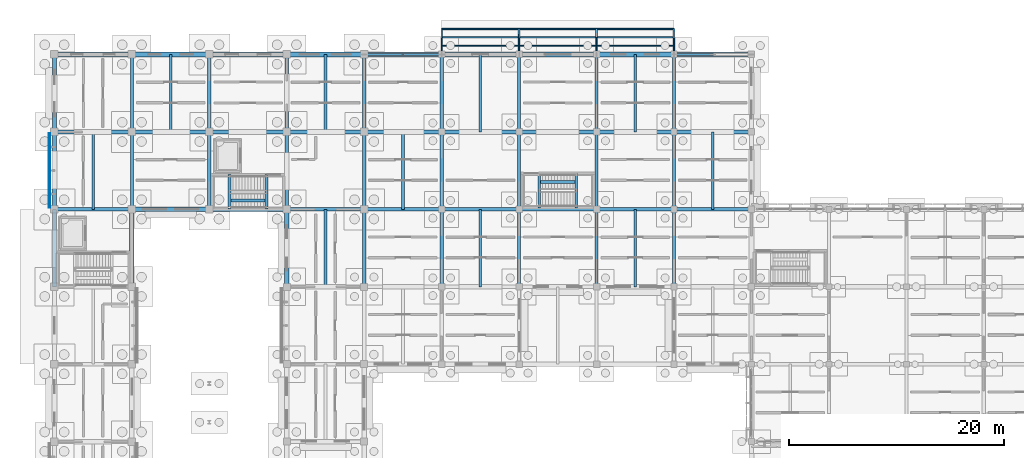
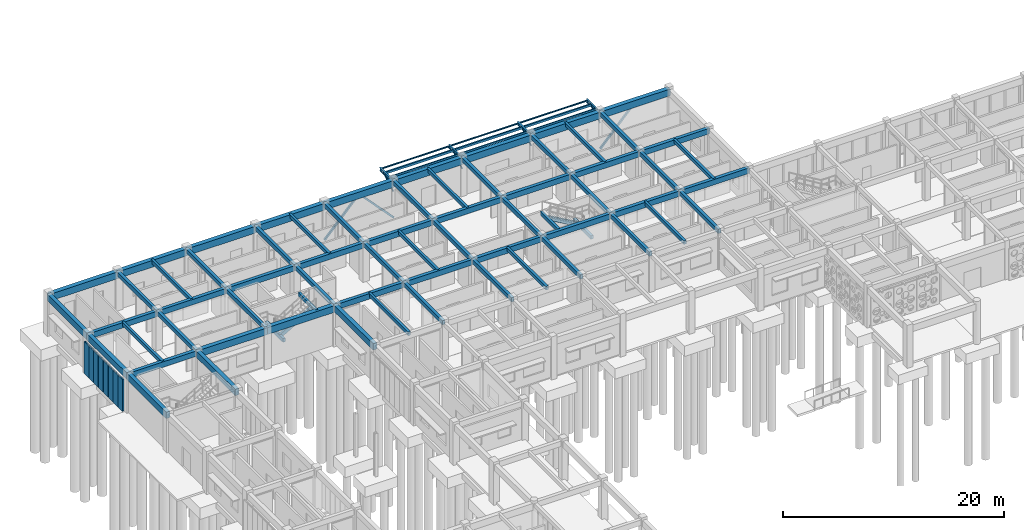
# One storey, part 16 of 111: 73 beams, 24 members, 1 element without a shape of its own.
"""IFC4 building model written with IfcOpenShell, lengths in metres."""

import ifcopenshell
import ifcopenshell.guid

model = None  # the IFC model being written
_history = None  # IfcOwnerHistory: only IFC2X3 demands one
_inside = {}  # id of a spatial element -> (the spatial element, [elements in it])
_under = {}  # id of a project, library or spatial element -> (it, [spatial elements below it])
_declared = {}  # id of a project -> (the project, [libraries it declares])
_typed = {}  # id of a type object -> (the type object, [elements of that type])
_made_of = {}  # id of a material, layer set ... -> (it, [elements and type objects made of it])


def new_model(schema):
    """Start an empty IFC model of exactly this schema.

    Asked for "IFC4X3", IfcOpenShell would pick the latest addendum, in which some entities
    have other attributes; the version numbers below select the first issue.
    IFC2X3 requires an IfcOwnerHistory on every rooted entity: one is made here for all.
    """
    global model, _history
    if schema == "IFC4X3":
        model = ifcopenshell.file(schema_version=(4, 3, 0, 0))
    else:
        model = ifcopenshell.file(schema=schema)
    _inside.clear()
    _under.clear()
    _declared.clear()
    _typed.clear()
    _made_of.clear()
    _history = None
    if model.schema == "IFC2X3":
        org = make("IfcOrganization", Name="unknown")
        user = make(
            "IfcPersonAndOrganization",
            ThePerson=make("IfcPerson", FamilyName="unknown"),
            TheOrganization=org,
        )
        app = make(
            "IfcApplication",
            ApplicationDeveloper=org,
            Version="unknown",
            ApplicationFullName="unknown",
            ApplicationIdentifier="unknown",
        )
        _history = make(
            "IfcOwnerHistory",
            OwningUser=user,
            OwningApplication=app,
            ChangeAction="ADDED",
            CreationDate=0,
        )
    return model


def make(cls, **values):
    """One entity of the class cls with the attributes given. An attribute that is None is left unset."""
    return model.create_entity(
        cls, **{name: value for name, value in values.items() if value is not None}
    )


def rooted(cls, **values):
    """An entity with a GlobalId (a new one), such as an element, a storey or a relation."""
    return make(cls, GlobalId=ifcopenshell.guid.new(), OwnerHistory=_history, **values)


def si_unit(unit_type, name, prefix=None):
    """IfcSIUnit, for example si_unit("LENGTHUNIT", "METRE", prefix="MILLI")."""
    return make("IfcSIUnit", UnitType=unit_type, Prefix=prefix, Name=name)


def assignment(units):
    """IfcUnitAssignment: the units of a project."""
    return None if units is None else make("IfcUnitAssignment", Units=units)


def point(xyz):
    """IfcCartesianPoint."""
    return None if xyz is None else make("IfcCartesianPoint", Coordinates=xyz)


def direction(xyz):
    """IfcDirection."""
    return None if xyz is None else make("IfcDirection", DirectionRatios=xyz)


def frame(location, z_axis=None, x_axis=None):
    """IfcAxis2Placement3D, a coordinate frame: its origin and axes. An axis left out is left unset."""
    return make(
        "IfcAxis2Placement3D",
        Location=point(location),
        Axis=direction(z_axis),
        RefDirection=direction(x_axis),
    )


def frame_2d(location, x_axis=None):
    """IfcAxis2Placement2D, a coordinate frame in the plane: its origin and x axis."""
    return make(
        "IfcAxis2Placement2D", Location=point(location), RefDirection=direction(x_axis)
    )


def origin():
    """The frame at (0, 0, 0) with its axes left unset."""
    return frame((0.0, 0.0, 0.0))


def origin_2d():
    """The frame at (0, 0) in the plane with its x axis left unset."""
    return frame_2d((0.0, 0.0))


def place(relative_to, where):
    """IfcLocalPlacement: puts the frame where relative to a parent placement (None: the world)."""
    return make(
        "IfcLocalPlacement", PlacementRelTo=relative_to, RelativePlacement=where
    )


def context(
    kind, dimensions, precision=None, world=None, true_north=None, identifier=None
):
    """IfcGeometricRepresentationContext, for example the 3D "Model" context."""
    return make(
        "IfcGeometricRepresentationContext",
        ContextIdentifier=identifier,
        ContextType=kind,
        CoordinateSpaceDimension=dimensions,
        Precision=precision,
        WorldCoordinateSystem=world,
        TrueNorth=true_north,
    )


def subcontext(parent, identifier, kind, view, scale=None):
    """IfcGeometricRepresentationSubContext, for example "Body" below "Model"."""
    return make(
        "IfcGeometricRepresentationSubContext",
        ContextIdentifier=identifier,
        ContextType=kind,
        ParentContext=parent,
        TargetScale=scale,
        TargetView=view,
    )


def project(units=None, contexts=None):
    """IfcProject with its units and contexts."""
    return rooted(
        "IfcProject",
        Name="project",
        RepresentationContexts=contexts,
        UnitsInContext=assignment(units),
    )


def spatial(cls, under=None, at=None, **own):
    """A site, building, storey or space (cls), placed at a placement, below another one or the project."""
    s = rooted(cls, ObjectPlacement=at, **own)
    if under is not None:
        _under.setdefault(under.id(), (under, []))[1].append(s)
    return s


def profile(cls, at=None, kind="AREA", **sizes):
    """A parametric profile (cls). Its sizes go by their IFC names, for example OverallWidth=200.0."""
    return make(cls, ProfileType=kind, Position=at, **sizes)


def rectangle(**sizes):
    """IfcRectangleProfileDef."""
    return profile("IfcRectangleProfileDef", **sizes)


def hollow_rectangle(**sizes):
    """IfcRectangleHollowProfileDef."""
    return profile("IfcRectangleHollowProfileDef", **sizes)


def hollow_circle(**sizes):
    """IfcCircleHollowProfileDef."""
    return profile("IfcCircleHollowProfileDef", **sizes)


def i_section(**sizes):
    """IfcIShapeProfileDef."""
    return profile("IfcIShapeProfileDef", **sizes)


def extrude(swept, where, along, depth):
    """IfcExtrudedAreaSolid: the profile swept, set in the frame where, extruded along a direction by depth."""
    return make(
        "IfcExtrudedAreaSolid",
        SweptArea=swept,
        Position=where,
        ExtrudedDirection=direction(along),
        Depth=depth,
    )


def shape(context_of_items, identifier, shape_type, items):
    """IfcShapeRepresentation: the items that make up one representation, for example the "Body"."""
    return make(
        "IfcShapeRepresentation",
        ContextOfItems=context_of_items,
        RepresentationIdentifier=identifier,
        RepresentationType=shape_type,
        Items=items,
    )


def material(Name=None, Category=None):
    """IfcMaterial."""
    return make("IfcMaterial", Name=Name, Category=Category)


def material_profile(
    of_material, cross_section, Name=None, Category=None, Priority=None
):
    """IfcMaterialProfile: a cross section and its material."""
    return make(
        "IfcMaterialProfile",
        Name=Name,
        Material=of_material,
        Profile=cross_section,
        Priority=Priority,
        Category=Category,
    )


def profile_set(profiles, Name=None, composite=None):
    """IfcMaterialProfileSet."""
    return make(
        "IfcMaterialProfileSet",
        Name=Name,
        MaterialProfiles=profiles,
        CompositeProfile=composite,
    )


def made_of(thing, what):
    """Note that an element or type object is made of a material, layer set ...; save() writes the relation."""
    if what is not None:
        _made_of.setdefault(what.id(), (what, []))[1].append(thing)
    return thing


def type_object(cls, material=None, **own):
    """A type object (cls), such as IfcWallType, which elements share."""
    return made_of(rooted(cls, **own), material)


def element(
    cls,
    number,
    at=None,
    inside=None,
    cuts=None,
    type_object=None,
    material=None,
    context=None,
    identifier="Body",
    shape_type=None,
    held_by="IfcProductDefinitionShape",
    body=None,
    shapes=None,
    **own,
):
    """One element of the class cls, such as IfcWall. Its Tag is "e" and its number.

    at: its placement. inside: the storey or other place that contains it. cuts: it is an
    opening in that element (IfcRelVoidsElement). A single representation is given by context,
    identifier, shape_type and body (its items); several are given by shapes. held_by: the class
    of the entity that holds the representations. save() writes the other relations.
    """
    e = rooted(cls, Tag="e%d" % number, ObjectPlacement=at, **own)
    if body is not None:
        shapes = [shape(context, identifier, shape_type, body)]
    if shapes is not None:
        e.Representation = make(held_by, Representations=shapes)
    if inside is not None:
        _inside.setdefault(inside.id(), (inside, []))[1].append(e)
    if cuts is not None:
        rooted(
            "IfcRelVoidsElement", RelatingBuildingElement=cuts, RelatedOpeningElement=e
        )
    if type_object is not None:
        _typed.setdefault(type_object.id(), (type_object, []))[1].append(e)
    return made_of(e, material)


def aggregate(whole, parts):
    """IfcRelAggregates: a whole, such as a stair, and the parts it consists of."""
    return rooted("IfcRelAggregates", RelatingObject=whole, RelatedObjects=parts)


def save(model, path):
    """Write the relations noted so far, then the file.

    IfcRelAggregates (storeys below a building ...), IfcRelContainedInSpatialStructure (elements
    in a storey), IfcRelDefinesByType, IfcRelAssociatesMaterial and IfcRelDeclares: one each for
    every whole, place, type object, material and project.
    """
    for whole, parts in _under.values():
        aggregate(whole, parts)
    for where, things in _inside.values():
        rooted(
            "IfcRelContainedInSpatialStructure",
            RelatedElements=things,
            RelatingStructure=where,
        )
    for kind, things in _typed.values():
        rooted("IfcRelDefinesByType", RelatedObjects=things, RelatingType=kind)
    for what, things in _made_of.values():
        rooted("IfcRelAssociatesMaterial", RelatedObjects=things, RelatingMaterial=what)
    for by, libraries in _declared.values():
        rooted("IfcRelDeclares", RelatingContext=by, RelatedDefinitions=libraries)
    model.write(path)


model = new_model("IFC4")

# Units and contexts
model_context = context("Model", 3, precision=1e-05, world=origin(), true_north=direction((0.0, 1.0)))
body_context = subcontext(model_context, "Body", "Model", "MODEL_VIEW")
ifc_project = project(units=[si_unit("LENGTHUNIT", "METRE"), si_unit("AREAUNIT", "SQUARE_METRE"), si_unit("VOLUMEUNIT", "CUBIC_METRE"), si_unit("PLANEANGLEUNIT", "RADIAN"), si_unit("MASSUNIT", "GRAM", prefix="KILO")], contexts=[model_context])

# Site, building, storey
site_placement = place(None, origin())
site = spatial("IfcSite", under=ifc_project, at=site_placement, CompositionType="ELEMENT")
building_placement = place(site_placement, origin())
building = spatial("IfcBuilding", under=site, at=building_placement, Name="Aldebral Square Health Centre", CompositionType="ELEMENT")
storey_placement = place(building_placement, origin())
storey = spatial("IfcBuildingStorey", under=building, at=storey_placement, Name="L00", CompositionType="ELEMENT", Elevation=0.0)

# Beams
ifc_material_1 = material(Name="Concrete C40/50", Category="concrete")
ifc_material_profile_1 = material_profile(ifc_material_1, rectangle(XDim=0.35009765625, YDim=0.60009765625, at=origin_2d()), Name="RC 350x600")
ifc_profile_set_1 = profile_set([ifc_material_profile_1], Name="Concrete C40/50")
beam_type_1 = type_object("IfcBeamType", Name="BM-B2", PredefinedType="BEAM", material=ifc_profile_set_1)
for number, where, z_axis, x_axis, name in (
    (1, (0.0, 100.800048828125, 3.919921875), (1.0, 0.0, 0.0), (0.0, 1.0, 0.0), "L00 X-beam 1-2/G15"),
    (2, (0.0, 108.0, 3.919921875), (1.0, 0.0, 0.0), (0.0, 1.0, 0.0), "L00 X-beam 1-2/G16"),
    (3, (7.199951171875, 108.0, 3.919921875), (1.0, 0.0, 0.0), (0.0, 1.0, 0.0), "L00 X-beam 2-3/G16"),
):
    element("IfcBeam", number, at=place(storey_placement, frame(where, z_axis=z_axis, x_axis=x_axis)), inside=storey, type_object=beam_type_1, Name=name, PredefinedType="BEAM", context=body_context, shape_type="SweptSolid", body=[
        extrude(rectangle(XDim=0.35009765625, YDim=0.60009765625, at=origin_2d()), origin(), (0.0, 0.0, 1.0), 7.199951171875),
    ])
beam_1_placement = place(storey_placement, frame((14.39990234375, 108.0, 3.919921875), z_axis=(1.0, 0.0, 0.0), x_axis=(0.0, 1.0, 0.0)))
element("IfcBeam", 4, at=beam_1_placement, inside=storey, type_object=beam_type_1, Name="L00 X-beam 3-4/G16", PredefinedType="BEAM", context=body_context, shape_type="SweptSolid", body=[
    extrude(rectangle(XDim=0.35009765625, YDim=0.60009765625, at=origin_2d()), origin(), (0.0, 0.0, 1.0), 7.2001953125),
])
for number, where, z_axis, x_axis, name in (
    (5, (21.60009765625, 100.800048828125, 3.919921875), (1.0, 0.0, 0.0), (0.0, 1.0, 0.0), "L00 X-beam 4-5/G15"),
    (6, (21.60009765625, 108.0, 3.919921875), (1.0, 0.0, 0.0), (0.0, 1.0, 0.0), "L00 X-beam 4-5/G16"),
    (7, (28.800048828125, 100.800048828125, 3.919921875), (1.0, 0.0, 0.0), (0.0, 1.0, 0.0), "L00 X-beam 5-6/G15"),
    (8, (28.800048828125, 108.0, 3.919921875), (1.0, 0.0, 0.0), (0.0, 1.0, 0.0), "L00 X-beam 5-6/G16"),
    (9, (36.0, 100.800048828125, 3.919921875), (1.0, 0.0, 0.0), (0.0, 1.0, 0.0), "L00 X-beam 6-7/G15"),
    (10, (36.0, 108.0, 3.919921875), (1.0, 0.0, 0.0), (0.0, 1.0, 0.0), "L00 X-beam 6-7/G16"),
    (11, (43.199951171875, 100.800048828125, 3.919921875), (1.0, 0.0, 0.0), (0.0, 1.0, 0.0), "L00 X-beam 7-8/G15"),
    (12, (43.199951171875, 108.0, 3.919921875), (1.0, 0.0, 0.0), (0.0, 1.0, 0.0), "L00 X-beam 7-8/G16"),
):
    element("IfcBeam", number, at=place(storey_placement, frame(where, z_axis=z_axis, x_axis=x_axis)), inside=storey, type_object=beam_type_1, Name=name, PredefinedType="BEAM", context=body_context, shape_type="SweptSolid", body=[
        extrude(rectangle(XDim=0.35009765625, YDim=0.60009765625, at=origin_2d()), origin(), (0.0, 0.0, 1.0), 7.199951171875),
    ])
for number, where, z_axis, x_axis, name in (
    (13, (50.39990234375, 100.800048828125, 3.919921875), (1.0, 0.0, 0.0), (0.0, 1.0, 0.0), "L00 X-beam 8-9/G15"),
    (14, (50.39990234375, 108.0, 3.919921875), (1.0, 0.0, 0.0), (0.0, 1.0, 0.0), "L00 X-beam 8-9/G16"),
):
    element("IfcBeam", number, at=place(storey_placement, frame(where, z_axis=z_axis, x_axis=x_axis)), inside=storey, type_object=beam_type_1, Name=name, PredefinedType="BEAM", context=body_context, shape_type="SweptSolid", body=[
        extrude(rectangle(XDim=0.35009765625, YDim=0.60009765625, at=origin_2d()), origin(), (0.0, 0.0, 1.0), 7.2001953125),
    ])
for number, where, z_axis, x_axis, name in (
    (15, (57.60009765625, 100.800048828125, 3.919921875), (1.0, 0.0, 0.0), (0.0, 1.0, 0.0), "L00 X-beam 9-10/G15"),
    (16, (57.60009765625, 108.0, 3.919921875), (1.0, 0.0, 0.0), (0.0, 1.0, 0.0), "L00 X-beam 9-10/G16"),
):
    element("IfcBeam", number, at=place(storey_placement, frame(where, z_axis=z_axis, x_axis=x_axis)), inside=storey, type_object=beam_type_1, Name=name, PredefinedType="BEAM", context=body_context, shape_type="SweptSolid", body=[
        extrude(rectangle(XDim=0.35009765625, YDim=0.60009765625, at=origin_2d()), origin(), (0.0, 0.0, 1.0), 7.199951171875),
    ])
ifc_material_profile_2 = material_profile(ifc_material_1, rectangle(XDim=0.300048828125, YDim=0.449951171875, at=origin_2d()), Name="RC 300x450")
ifc_profile_set_2 = profile_set([ifc_material_profile_2], Name="Concrete C40/50")
beam_type_2 = type_object("IfcBeamType", Name="BM-B5", PredefinedType="BEAM", material=ifc_profile_set_2)
for number, where, z_axis, x_axis, name in (
    (17, (7.199951171875, 100.800048828125, 3.9951171875), (0.0, 1.0, 0.0), (-1.0, 0.0, 0.0), "L00 Y-beam G2/15-16"),
    (18, (7.199951171875, 108.0, 3.9951171875), (0.0, 1.0, 0.0), (-1.0, 0.0, 0.0), "L00 Y-beam G2/16-17"),
    (19, (14.39990234375, 100.800048828125, 3.9951171875), (0.0, 1.0, 0.0), (-1.0, 0.0, 0.0), "L00 Y-beam G3/15-16"),
    (20, (14.39990234375, 108.0, 3.9951171875), (0.0, 1.0, 0.0), (-1.0, 0.0, 0.0), "L00 Y-beam G3/16-17"),
    (21, (21.60009765625, 100.800048828125, 3.9951171875), (0.0, 1.0, 0.0), (-1.0, 0.0, 0.0), "L00 Y-beam G4/15-16"),
    (22, (21.60009765625, 108.0, 3.9951171875), (0.0, 1.0, 0.0), (-1.0, 0.0, 0.0), "L00 Y-beam G4/16-17"),
    (23, (28.800048828125, 93.60009765625, 3.9951171875), (0.0, 1.0, 0.0), (-1.0, 0.0, 0.0), "L00 Y-beam G5/14-15"),
    (24, (28.800048828125, 100.800048828125, 3.9951171875), (0.0, 1.0, 0.0), (-1.0, 0.0, 0.0), "L00 Y-beam G5/15-16"),
    (25, (28.800048828125, 108.0, 3.9951171875), (0.0, 1.0, 0.0), (-1.0, 0.0, 0.0), "L00 Y-beam G5/16-17"),
    (26, (36.0, 93.60009765625, 3.9951171875), (0.0, 1.0, 0.0), (-1.0, 0.0, 0.0), "L00 Y-beam G6/14-15"),
    (27, (36.0, 100.800048828125, 3.9951171875), (0.0, 1.0, 0.0), (-1.0, 0.0, 0.0), "L00 Y-beam G6/15-16"),
    (28, (36.0, 108.0, 3.9951171875), (0.0, 1.0, 0.0), (-1.0, 0.0, 0.0), "L00 Y-beam G6/16-17"),
    (29, (43.199951171875, 93.60009765625, 3.9951171875), (0.0, 1.0, 0.0), (-1.0, 0.0, 0.0), "L00 Y-beam G7/14-15"),
    (30, (43.199951171875, 100.800048828125, 3.9951171875), (0.0, 1.0, 0.0), (-1.0, 0.0, 0.0), "L00 Y-beam G7/15-16"),
    (31, (43.199951171875, 108.0, 3.9951171875), (0.0, 1.0, 0.0), (-1.0, 0.0, 0.0), "L00 Y-beam G7/16-17"),
    (32, (50.39990234375, 93.60009765625, 3.9951171875), (0.0, 1.0, 0.0), (-1.0, 0.0, 0.0), "L00 Y-beam G8/14-15"),
    (33, (50.39990234375, 100.800048828125, 3.9951171875), (0.0, 1.0, 0.0), (-1.0, 0.0, 0.0), "L00 Y-beam G8/15-16"),
    (34, (50.39990234375, 108.0, 3.9951171875), (0.0, 1.0, 0.0), (-1.0, 0.0, 0.0), "L00 Y-beam G8/16-17"),
    (35, (57.60009765625, 93.60009765625, 3.9951171875), (0.0, 1.0, 0.0), (-1.0, 0.0, 0.0), "L00 Y-beam G9/14-15"),
    (36, (57.60009765625, 100.800048828125, 3.9951171875), (0.0, 1.0, 0.0), (-1.0, 0.0, 0.0), "L00 Y-beam G9/15-16"),
    (37, (57.60009765625, 108.0, 3.9951171875), (0.0, 1.0, 0.0), (-1.0, 0.0, 0.0), "L00 Y-beam G9/16-17"),
):
    element("IfcBeam", number, at=place(storey_placement, frame(where, z_axis=z_axis, x_axis=x_axis)), inside=storey, type_object=beam_type_2, Name=name, PredefinedType="BEAM", context=body_context, shape_type="SweptSolid", body=[
        extrude(rectangle(XDim=0.300048828125, YDim=0.449951171875, at=origin_2d()), origin(), (0.0, 0.0, 1.0), 7.199951171875),
    ])
ifc_material_profile_3 = material_profile(ifc_material_1, rectangle(XDim=0.25, YDim=0.39990234375, at=origin_2d()), Name="RC 250x400")
ifc_profile_set_3 = profile_set([ifc_material_profile_3], Name="Concrete C40/50")
beam_type_3 = type_object("IfcBeamType", Name="BM-B6", PredefinedType="JOIST", material=ifc_profile_set_3)
for number, where, z_axis, x_axis, name in (
    (38, (3.60009765625, 100.800048828125, 4.02001953125), (0.0, 1.0, 0.0), (-1.0, 0.0, 0.0), "L00 secondary rib 1.15"),
    (39, (10.800048828125, 108.0, 4.02001953125), (0.0, 1.0, 0.0), (-1.0, 0.0, 0.0), "L00 secondary rib 2.16"),
    (40, (25.199951171875, 93.60009765625, 4.02001953125), (0.0, 1.0, 0.0), (-1.0, 0.0, 0.0), "L00 secondary rib 4.14"),
    (41, (25.199951171875, 108.0, 4.02001953125), (0.0, 1.0, 0.0), (-1.0, 0.0, 0.0), "L00 secondary rib 4.16"),
    (42, (32.39990234375, 100.800048828125, 4.02001953125), (0.0, 1.0, 0.0), (-1.0, 0.0, 0.0), "L00 secondary rib 5.15"),
    (43, (39.60009765625, 93.60009765625, 4.02001953125), (0.0, 1.0, 0.0), (-1.0, 0.0, 0.0), "L00 secondary rib 6.14"),
    (44, (39.60009765625, 108.0, 4.02001953125), (0.0, 1.0, 0.0), (-1.0, 0.0, 0.0), "L00 secondary rib 6.16"),
    (45, (54.0, 93.60009765625, 4.02001953125), (0.0, 1.0, 0.0), (-1.0, 0.0, 0.0), "L00 secondary rib 8.14"),
    (46, (54.0, 108.0, 4.02001953125), (0.0, 1.0, 0.0), (-1.0, 0.0, 0.0), "L00 secondary rib 8.16"),
    (47, (61.199951171875, 100.800048828125, 4.02001953125), (0.0, 1.0, 0.0), (-1.0, 0.0, 0.0), "L00 secondary rib 9.15"),
):
    element("IfcBeam", number, at=place(storey_placement, frame(where, z_axis=z_axis, x_axis=x_axis)), inside=storey, type_object=beam_type_3, Name=name, PredefinedType="JOIST", context=body_context, shape_type="SweptSolid", body=[
        extrude(rectangle(XDim=0.25, YDim=0.39990234375, at=origin_2d()), origin(), (0.0, 0.0, 1.0), 7.199951171875),
    ])
for number, where, z_axis, x_axis, name in (
    (48, (16.280029296875, 100.81005859375, 2.050048828125), (0.0, 1.0, 0.0), (-1.0, 0.0, 0.0), "L00 WC-C2 half-landing beam"),
    (49, (19.719970703125, 100.81005859375, 4.02001953125), (0.0, 1.0, 0.0), (-1.0, 0.0, 0.0), "L00 WC-C2 upper landing beam"),
):
    element("IfcBeam", number, at=place(storey_placement, frame(where, z_axis=z_axis, x_axis=x_axis)), inside=storey, type_object=beam_type_3, Name=name, PredefinedType="JOIST", context=body_context, shape_type="SweptSolid", body=[
        extrude(rectangle(XDim=0.25, YDim=0.39990234375, at=origin_2d()), origin(), (0.0, 0.0, 1.0), 3.219970703125),
    ])
beam_2_placement = place(storey_placement, frame((16.280029296875, 101.6201171875, 2.050048828125), z_axis=(0.867776584178, 0.0, 0.496954525034), x_axis=(0.0, 1.0, 0.0)))
element("IfcBeam", 50, at=beam_2_placement, inside=storey, type_object=beam_type_3, Name="L00 WC-C2 flight stringer beam", PredefinedType="JOIST", context=body_context, shape_type="SweptSolid", body=[
    extrude(rectangle(XDim=0.25, YDim=0.39990234375, at=origin_2d()), origin(), (0.0, 0.0, 1.0), 3.964111328125),
])
for number, where, z_axis, x_axis, name in (
    (51, (48.52001953125, 100.929931640625, 2.050048828125), (0.0, 1.0, 0.0), (-1.0, 0.0, 0.0), "L00 WS-S6 half-landing beam"),
    (52, (45.080078125, 100.929931640625, 4.02001953125), (0.0, 1.0, 0.0), (-1.0, 0.0, 0.0), "L00 WS-S6 upper landing beam"),
):
    element("IfcBeam", number, at=place(storey_placement, frame(where, z_axis=z_axis, x_axis=x_axis)), inside=storey, type_object=beam_type_3, Name=name, PredefinedType="JOIST", context=body_context, shape_type="SweptSolid", body=[
        extrude(rectangle(XDim=0.25, YDim=0.39990234375, at=origin_2d()), origin(), (0.0, 0.0, 1.0), 3.219970703125),
    ])
beam_3_placement = place(storey_placement, frame((48.52001953125, 103.340087890625, 2.050048828125), z_axis=(-0.867776584178, 0.0, 0.496954525034), x_axis=(0.0, -1.0, 0.0)))
element("IfcBeam", 53, at=beam_3_placement, inside=storey, type_object=beam_type_3, Name="L00 WS-S6 flight stringer beam", PredefinedType="JOIST", context=body_context, shape_type="SweptSolid", body=[
    extrude(rectangle(XDim=0.25, YDim=0.39990234375, at=origin_2d()), origin(), (0.0, 0.0, 1.0), 3.964111328125),
])
ifc_material_profile_4 = material_profile(ifc_material_1, rectangle(XDim=0.449951171875, YDim=0.75, at=origin_2d()), Name="RC 450x750")
ifc_profile_set_4 = profile_set([ifc_material_profile_4], Name="Concrete C40/50")
beam_type_4 = type_object("IfcBeamType", Name="BM-G2", PredefinedType="T_BEAM", material=ifc_profile_set_4)
for number, where, z_axis, x_axis, name in (
    (54, (0.0, 115.199951171875, 3.844970703125), (1.0, 0.0, 0.0), (0.0, 1.0, 0.0), "L00 X-beam 1-2/G17"),
    (55, (7.199951171875, 100.800048828125, 3.844970703125), (1.0, 0.0, 0.0), (0.0, 1.0, 0.0), "L00 X-beam 2-3/G15"),
    (56, (7.199951171875, 115.199951171875, 3.844970703125), (1.0, 0.0, 0.0), (0.0, 1.0, 0.0), "L00 X-beam 2-3/G17"),
):
    element("IfcBeam", number, at=place(storey_placement, frame(where, z_axis=z_axis, x_axis=x_axis)), inside=storey, type_object=beam_type_4, Name=name, PredefinedType="T_BEAM", context=body_context, shape_type="SweptSolid", body=[
        extrude(rectangle(XDim=0.449951171875, YDim=0.75, at=origin_2d()), origin(), (0.0, 0.0, 1.0), 7.199951171875),
    ])
for number, where, z_axis, x_axis, name in (
    (57, (14.39990234375, 100.800048828125, 3.844970703125), (1.0, 0.0, 0.0), (0.0, 1.0, 0.0), "L00 X-beam 3-4/G15"),
    (58, (14.39990234375, 115.199951171875, 3.844970703125), (1.0, 0.0, 0.0), (0.0, 1.0, 0.0), "L00 X-beam 3-4/G17"),
):
    element("IfcBeam", number, at=place(storey_placement, frame(where, z_axis=z_axis, x_axis=x_axis)), inside=storey, type_object=beam_type_4, Name=name, PredefinedType="T_BEAM", context=body_context, shape_type="SweptSolid", body=[
        extrude(rectangle(XDim=0.449951171875, YDim=0.75, at=origin_2d()), origin(), (0.0, 0.0, 1.0), 7.2001953125),
    ])
for number, where, z_axis, x_axis, name in (
    (59, (21.60009765625, 115.199951171875, 3.844970703125), (1.0, 0.0, 0.0), (0.0, 1.0, 0.0), "L00 X-beam 4-5/G17"),
    (60, (28.800048828125, 115.199951171875, 3.844970703125), (1.0, 0.0, 0.0), (0.0, 1.0, 0.0), "L00 X-beam 5-6/G17"),
    (61, (36.0, 115.199951171875, 3.844970703125), (1.0, 0.0, 0.0), (0.0, 1.0, 0.0), "L00 X-beam 6-7/G17"),
    (62, (43.199951171875, 115.199951171875, 3.844970703125), (1.0, 0.0, 0.0), (0.0, 1.0, 0.0), "L00 X-beam 7-8/G17"),
):
    element("IfcBeam", number, at=place(storey_placement, frame(where, z_axis=z_axis, x_axis=x_axis)), inside=storey, type_object=beam_type_4, Name=name, PredefinedType="T_BEAM", context=body_context, shape_type="SweptSolid", body=[
        extrude(rectangle(XDim=0.449951171875, YDim=0.75, at=origin_2d()), origin(), (0.0, 0.0, 1.0), 7.199951171875),
    ])
beam_4_placement = place(storey_placement, frame((50.39990234375, 115.199951171875, 3.844970703125), z_axis=(1.0, 0.0, 0.0), x_axis=(0.0, 1.0, 0.0)))
element("IfcBeam", 63, at=beam_4_placement, inside=storey, type_object=beam_type_4, Name="L00 X-beam 8-9/G17", PredefinedType="T_BEAM", context=body_context, shape_type="SweptSolid", body=[
    extrude(rectangle(XDim=0.449951171875, YDim=0.75, at=origin_2d()), origin(), (0.0, 0.0, 1.0), 7.2001953125),
])
beam_5_placement = place(storey_placement, frame((57.60009765625, 115.199951171875, 3.844970703125), z_axis=(1.0, 0.0, 0.0), x_axis=(0.0, 1.0, 0.0)))
element("IfcBeam", 64, at=beam_5_placement, inside=storey, type_object=beam_type_4, Name="L00 X-beam 9-10/G17", PredefinedType="T_BEAM", context=body_context, shape_type="SweptSolid", body=[
    extrude(rectangle(XDim=0.449951171875, YDim=0.75, at=origin_2d()), origin(), (0.0, 0.0, 1.0), 7.199951171875),
])
ifc_material_profile_5 = material_profile(ifc_material_1, rectangle(XDim=0.39990234375, YDim=0.699951171875, at=origin_2d()), Name="RC 400x700")
ifc_profile_set_5 = profile_set([ifc_material_profile_5], Name="Concrete C40/50")
beam_type_5 = type_object("IfcBeamType", Name="BM-G3", PredefinedType="T_BEAM", material=ifc_profile_set_5)
for number, where, z_axis, x_axis, name in (
    (65, (0.0, 93.60009765625, 3.8701171875), (0.0, 1.0, 0.0), (-1.0, 0.0, 0.0), "L00 Y-beam G1/14-15"),
    (66, (0.0, 100.800048828125, 3.8701171875), (0.0, 1.0, 0.0), (-1.0, 0.0, 0.0), "L00 Y-beam G1/15-16"),
    (67, (0.0, 108.0, 3.8701171875), (0.0, 1.0, 0.0), (-1.0, 0.0, 0.0), "L00 Y-beam G1/16-17"),
    (68, (7.199951171875, 93.60009765625, 3.8701171875), (0.0, 1.0, 0.0), (-1.0, 0.0, 0.0), "L00 Y-beam G2/14-15"),
    (69, (21.60009765625, 93.60009765625, 3.8701171875), (0.0, 1.0, 0.0), (-1.0, 0.0, 0.0), "L00 Y-beam G4/14-15"),
):
    element("IfcBeam", number, at=place(storey_placement, frame(where, z_axis=z_axis, x_axis=x_axis)), inside=storey, type_object=beam_type_5, Name=name, PredefinedType="T_BEAM", context=body_context, shape_type="SweptSolid", body=[
        extrude(rectangle(XDim=0.39990234375, YDim=0.699951171875, at=origin_2d()), origin(), (0.0, 0.0, 1.0), 7.199951171875),
    ])
ifc_material_2 = material(Name="Steel S355JR", Category="steel")
ifc_material_profile_6 = material_profile(ifc_material_2, i_section(OverallWidth=0.169921875, OverallDepth=0.360107421875, WebThickness=0.008056640625, FlangeThickness=0.0126953125, FilletRadius=0.01806640625, at=origin_2d()), Name="IPE 360")
ifc_profile_set_6 = profile_set([ifc_material_profile_6], Name="Steel S355JR")
beam_type_6 = type_object("IfcBeamType", Name="BM-ST3", PredefinedType="BEAM", material=ifc_profile_set_6)
for number, where, z_axis, x_axis, name in (
    (70, (36.0, 115.199951171875, 3.89990234375), (0.0, 1.0, 0.0), (-1.0, 0.0, 0.0), "North ambulance canopy cantilever rib 6"),
    (71, (43.199951171875, 115.199951171875, 3.89990234375), (0.0, 1.0, 0.0), (-1.0, 0.0, 0.0), "North ambulance canopy cantilever rib 7"),
    (72, (50.39990234375, 115.199951171875, 3.89990234375), (0.0, 1.0, 0.0), (-1.0, 0.0, 0.0), "North ambulance canopy cantilever rib 8"),
    (73, (57.60009765625, 115.199951171875, 3.89990234375), (0.0, 1.0, 0.0), (-1.0, 0.0, 0.0), "North ambulance canopy cantilever rib 9"),
):
    element("IfcBeam", number, at=place(storey_placement, frame(where, z_axis=z_axis, x_axis=x_axis)), inside=storey, type_object=beam_type_6, Name=name, PredefinedType="BEAM", context=body_context, shape_type="SweptSolid", body=[
        extrude(i_section(OverallWidth=0.169921875, OverallDepth=0.360107421875, WebThickness=0.008056640625, FlangeThickness=0.0126953125, FilletRadius=0.01806640625, at=origin_2d()), origin(), (0.0, 0.0, 1.0), 2.400146484375),
    ])

# Curtain wall, members
ifc_material_3 = material(Name="Aluminium and low-E solar glass", Category="aluminium")
curtain_wall_type = type_object("IfcCurtainWallType", Name="CW-FIN-SYS", PredefinedType="USERDEFINED", material=ifc_material_3)
curtain_wall_placement = place(storey_placement, origin())
curtain_wall = element("IfcCurtainWall", 74, at=curtain_wall_placement, inside=storey, type_object=curtain_wall_type, Name="L00 V4 finned curtain wall L00-V4-00-14-W", ObjectType="SOLAR_CURTAIN_WALL", PredefinedType="USERDEFINED")
ifc_material_4 = material(Name="Sienna-terracotta clad aluminium fin", Category="masonry")
ifc_material_profile_7 = material_profile(ifc_material_4, hollow_rectangle(XDim=0.159912109375, YDim=0.85009765625, WallThickness=0.006103515625, at=origin_2d()), Name="FIN 160x850x6")
ifc_profile_set_7 = profile_set([ifc_material_profile_7], Name="Sienna-terracotta clad aluminium fin")
member_type_1 = type_object("IfcMemberType", Name="CWM-FIN", PredefinedType="MULLION", material=ifc_profile_set_7)
member_1_placement = place(storey_placement, frame((-0.4599609375, 107.43994140625, 0.0), z_axis=(0.0, 0.0, 1.0), x_axis=(1.0, 0.0, 0.0)))
member_1 = element("IfcMember", 75, at=member_1_placement, type_object=member_type_1, Name="CW1 mullion 1", PredefinedType="MULLION", context=body_context, shape_type="SweptSolid", body=[
    extrude(hollow_rectangle(XDim=0.159912109375, YDim=0.85009765625, WallThickness=0.006103515625, at=origin_2d()), origin(), (0.0, 0.0, 1.0), 3.52001953125),
])
member_2_placement = place(storey_placement, frame((-0.4599609375, 106.628662109375, 0.0), z_axis=(0.0, 0.0, 1.0), x_axis=(1.0, 0.0, 0.0)))
member_2 = element("IfcMember", 76, at=member_2_placement, type_object=member_type_1, Name="CW1 mullion 2", PredefinedType="MULLION", context=body_context, shape_type="SweptSolid", body=[
    extrude(hollow_rectangle(XDim=0.159912109375, YDim=0.85009765625, WallThickness=0.006103515625, at=origin_2d()), origin(), (0.0, 0.0, 1.0), 3.52001953125),
])
member_3_placement = place(storey_placement, frame((-0.4599609375, 105.737060546875, 0.0), z_axis=(0.0, 0.0, 1.0), x_axis=(1.0, 0.0, 0.0)))
member_3 = element("IfcMember", 77, at=member_3_placement, type_object=member_type_1, Name="CW1 mullion 3", PredefinedType="MULLION", context=body_context, shape_type="SweptSolid", body=[
    extrude(hollow_rectangle(XDim=0.159912109375, YDim=0.85009765625, WallThickness=0.006103515625, at=origin_2d()), origin(), (0.0, 0.0, 1.0), 3.52001953125),
])
member_4_placement = place(storey_placement, frame((-0.4599609375, 104.845703125, 0.0), z_axis=(0.0, 0.0, 1.0), x_axis=(1.0, 0.0, 0.0)))
member_4 = element("IfcMember", 78, at=member_4_placement, type_object=member_type_1, Name="CW1 mullion 4", PredefinedType="MULLION", context=body_context, shape_type="SweptSolid", body=[
    extrude(hollow_rectangle(XDim=0.159912109375, YDim=0.85009765625, WallThickness=0.006103515625, at=origin_2d()), origin(), (0.0, 0.0, 1.0), 3.52001953125),
])
member_5_placement = place(storey_placement, frame((-0.4599609375, 103.954345703125, 0.0), z_axis=(0.0, 0.0, 1.0), x_axis=(1.0, 0.0, 0.0)))
member_5 = element("IfcMember", 79, at=member_5_placement, type_object=member_type_1, Name="CW1 mullion 5", PredefinedType="MULLION", context=body_context, shape_type="SweptSolid", body=[
    extrude(hollow_rectangle(XDim=0.159912109375, YDim=0.85009765625, WallThickness=0.006103515625, at=origin_2d()), origin(), (0.0, 0.0, 1.0), 3.52001953125),
])
member_6_placement = place(storey_placement, frame((-0.4599609375, 103.062744140625, 0.0), z_axis=(0.0, 0.0, 1.0), x_axis=(1.0, 0.0, 0.0)))
member_6 = element("IfcMember", 80, at=member_6_placement, type_object=member_type_1, Name="CW1 mullion 6", PredefinedType="MULLION", context=body_context, shape_type="SweptSolid", body=[
    extrude(hollow_rectangle(XDim=0.159912109375, YDim=0.85009765625, WallThickness=0.006103515625, at=origin_2d()), origin(), (0.0, 0.0, 1.0), 3.52001953125),
])
member_7_placement = place(storey_placement, frame((-0.4599609375, 102.17138671875, 0.0), z_axis=(0.0, 0.0, 1.0), x_axis=(1.0, 0.0, 0.0)))
member_7 = element("IfcMember", 81, at=member_7_placement, type_object=member_type_1, Name="CW1 mullion 7", PredefinedType="MULLION", context=body_context, shape_type="SweptSolid", body=[
    extrude(hollow_rectangle(XDim=0.159912109375, YDim=0.85009765625, WallThickness=0.006103515625, at=origin_2d()), origin(), (0.0, 0.0, 1.0), 3.52001953125),
])
member_8_placement = place(storey_placement, frame((-0.4599609375, 101.360107421875, 0.0), z_axis=(0.0, 0.0, 1.0), x_axis=(1.0, 0.0, 0.0)))
member_8 = element("IfcMember", 82, at=member_8_placement, type_object=member_type_1, Name="CW1 mullion 8", PredefinedType="MULLION", context=body_context, shape_type="SweptSolid", body=[
    extrude(hollow_rectangle(XDim=0.159912109375, YDim=0.85009765625, WallThickness=0.006103515625, at=origin_2d()), origin(), (0.0, 0.0, 1.0), 3.52001953125),
])
aggregate(curtain_wall, [member_1, member_2, member_3, member_4, member_5, member_6, member_7, member_8])

# Members
ifc_material_profile_8 = material_profile(ifc_material_2, hollow_rectangle(XDim=0.179931640625, YDim=0.179931640625, WallThickness=0.010009765625, at=origin_2d()), Name="180x180x10 SHS")
ifc_profile_set_8 = profile_set([ifc_material_profile_8], Name="Steel S355JR")
member_type_2 = type_object("IfcMemberType", Name="MEM-BR1", PredefinedType="BRACE", material=ifc_profile_set_8)
member_9_placement = place(storey_placement, frame((28.800048828125, 115.199951171875, 0.0), z_axis=(0.683455296672, 0.0, 0.729992368077), x_axis=(0.0, 1.0, 0.0)))
element("IfcMember", 83, at=member_9_placement, inside=storey, type_object=member_type_2, Name="L00 exterior north chevron brace L 5", PredefinedType="BRACE", context=body_context, shape_type="SweptSolid", body=[
    extrude(hollow_rectangle(XDim=0.179931640625, YDim=0.179931640625, WallThickness=0.010009765625, at=origin_2d()), origin(), (0.0, 0.0, 1.0), 5.26708984375),
])
member_10_placement = place(storey_placement, frame((36.0, 115.199951171875, 0.0), z_axis=(-0.683479995784, 0.0, 0.729969242751), x_axis=(0.0, -1.0, 0.0)))
element("IfcMember", 84, at=member_10_placement, inside=storey, type_object=member_type_2, Name="L00 exterior north chevron brace R 5", PredefinedType="BRACE", context=body_context, shape_type="SweptSolid", body=[
    extrude(hollow_rectangle(XDim=0.179931640625, YDim=0.179931640625, WallThickness=0.010009765625, at=origin_2d()), origin(), (0.0, 0.0, 1.0), 5.267333984375),
])
member_11_placement = place(storey_placement, frame((57.60009765625, 115.199951171875, 0.0), z_axis=(0.683455296672, 0.0, 0.729992368077), x_axis=(0.0, 1.0, 0.0)))
element("IfcMember", 85, at=member_11_placement, inside=storey, type_object=member_type_2, Name="L00 exterior north chevron brace L 9", PredefinedType="BRACE", context=body_context, shape_type="SweptSolid", body=[
    extrude(hollow_rectangle(XDim=0.179931640625, YDim=0.179931640625, WallThickness=0.010009765625, at=origin_2d()), origin(), (0.0, 0.0, 1.0), 5.26708984375),
])
ifc_material_profile_9 = material_profile(ifc_material_2, hollow_rectangle(XDim=0.14990234375, YDim=0.25, WallThickness=0.010009765625, at=origin_2d()), Name="250x150x10 RHS")
ifc_profile_set_9 = profile_set([ifc_material_profile_9], Name="Steel S355JR")
member_type_3 = type_object("IfcMemberType", Name="MEM-CH1", PredefinedType="CHORD", material=ifc_profile_set_9)
for number, where, z_axis, x_axis, name in (
    (86, (36.0, 116.800048828125, 3.89990234375), (1.0, 0.0, 0.0), (0.0, 1.0, 0.0), "North canopy member C1 bay 6"),
    (87, (43.199951171875, 116.800048828125, 3.89990234375), (1.0, 0.0, 0.0), (0.0, 1.0, 0.0), "North canopy member C1 bay 7"),
):
    element("IfcMember", number, at=place(storey_placement, frame(where, z_axis=z_axis, x_axis=x_axis)), inside=storey, type_object=member_type_3, Name=name, PredefinedType="CHORD", context=body_context, shape_type="SweptSolid", body=[
        extrude(hollow_rectangle(XDim=0.14990234375, YDim=0.25, WallThickness=0.010009765625, at=origin_2d()), origin(), (0.0, 0.0, 1.0), 7.199951171875),
    ])
member_12_placement = place(storey_placement, frame((50.39990234375, 116.800048828125, 3.89990234375), z_axis=(1.0, 0.0, 0.0), x_axis=(0.0, 1.0, 0.0)))
element("IfcMember", 88, at=member_12_placement, inside=storey, type_object=member_type_3, Name="North canopy member C1 bay 8", PredefinedType="CHORD", context=body_context, shape_type="SweptSolid", body=[
    extrude(hollow_rectangle(XDim=0.14990234375, YDim=0.25, WallThickness=0.010009765625, at=origin_2d()), origin(), (0.0, 0.0, 1.0), 7.2001953125),
])
ifc_material_profile_10 = material_profile(ifc_material_2, hollow_rectangle(XDim=0.10009765625, YDim=0.199951171875, WallThickness=0.008056640625, at=origin_2d()), Name="200x100x8 RHS")
ifc_profile_set_10 = profile_set([ifc_material_profile_10], Name="Steel S355JR")
member_type_4 = type_object("IfcMemberType", Name="MEM-PR1", PredefinedType="PURLIN", material=ifc_profile_set_10)
for number, where, z_axis, x_axis, name in (
    (89, (36.0, 116.0, 3.89990234375), (1.0, 0.0, 0.0), (0.0, 1.0, 0.0), "North canopy member P1 bay 6"),
    (90, (43.199951171875, 116.0, 3.89990234375), (1.0, 0.0, 0.0), (0.0, 1.0, 0.0), "North canopy member P1 bay 7"),
):
    element("IfcMember", number, at=place(storey_placement, frame(where, z_axis=z_axis, x_axis=x_axis)), inside=storey, type_object=member_type_4, Name=name, PredefinedType="PURLIN", context=body_context, shape_type="SweptSolid", body=[
        extrude(hollow_rectangle(XDim=0.10009765625, YDim=0.199951171875, WallThickness=0.008056640625, at=origin_2d()), origin(), (0.0, 0.0, 1.0), 7.199951171875),
    ])
member_13_placement = place(storey_placement, frame((50.39990234375, 116.0, 3.89990234375), z_axis=(1.0, 0.0, 0.0), x_axis=(0.0, 1.0, 0.0)))
element("IfcMember", 91, at=member_13_placement, inside=storey, type_object=member_type_4, Name="North canopy member P1 bay 8", PredefinedType="PURLIN", context=body_context, shape_type="SweptSolid", body=[
    extrude(hollow_rectangle(XDim=0.10009765625, YDim=0.199951171875, WallThickness=0.008056640625, at=origin_2d()), origin(), (0.0, 0.0, 1.0), 7.2001953125),
])
ifc_material_profile_11 = material_profile(ifc_material_2, hollow_circle(Radius=0.084228515625, WallThickness=0.008056640625, at=origin_2d()), Name="168.3x8.0 CHS")
ifc_profile_set_11 = profile_set([ifc_material_profile_11], Name="Steel S355JR")
member_type_5 = type_object("IfcMemberType", Name="MEM-RF1", PredefinedType="RAFTER", material=ifc_profile_set_11)
for number, where, z_axis, x_axis, name in (
    (92, (36.0, 117.550048828125, 3.89990234375), (1.0, 0.0, 0.0), (0.0, 1.0, 0.0), "North canopy member R1 bay 6"),
    (93, (43.199951171875, 117.550048828125, 3.89990234375), (1.0, 0.0, 0.0), (0.0, 1.0, 0.0), "North canopy member R1 bay 7"),
):
    element("IfcMember", number, at=place(storey_placement, frame(where, z_axis=z_axis, x_axis=x_axis)), inside=storey, type_object=member_type_5, Name=name, PredefinedType="RAFTER", context=body_context, shape_type="SweptSolid", body=[
        extrude(hollow_circle(Radius=0.084228515625, WallThickness=0.008056640625, at=origin_2d()), origin(), (0.0, 0.0, 1.0), 7.199951171875),
    ])
member_14_placement = place(storey_placement, frame((50.39990234375, 117.550048828125, 3.89990234375), z_axis=(1.0, 0.0, 0.0), x_axis=(0.0, 1.0, 0.0)))
element("IfcMember", 94, at=member_14_placement, inside=storey, type_object=member_type_5, Name="North canopy member R1 bay 8", PredefinedType="RAFTER", context=body_context, shape_type="SweptSolid", body=[
    extrude(hollow_circle(Radius=0.084228515625, WallThickness=0.008056640625, at=origin_2d()), origin(), (0.0, 0.0, 1.0), 7.2001953125),
])
ifc_material_profile_12 = material_profile(ifc_material_2, hollow_circle(Radius=0.06982421875, WallThickness=0.00634765625, at=origin_2d()), Name="139.7x6.3 CHS")
ifc_profile_set_12 = profile_set([ifc_material_profile_12], Name="Steel S355JR")
member_type_6 = type_object("IfcMemberType", Name="MEM-ST1", PredefinedType="STRUT", material=ifc_profile_set_12)
for number, where, z_axis, x_axis, name in (
    (95, (36.0, 115.199951171875, 2.85009765625), (0.0, 0.863825640041, 0.50379089274), (-1.0, 0.0, 0.0), "North canopy knee strut 6"),
    (96, (43.199951171875, 115.199951171875, 2.85009765625), (0.0, 0.863825640041, 0.50379089274), (-1.0, 0.0, 0.0), "North canopy knee strut 7"),
    (97, (50.39990234375, 115.199951171875, 2.85009765625), (0.0, 0.863825640041, 0.50379089274), (-1.0, 0.0, 0.0), "North canopy knee strut 8"),
    (98, (57.60009765625, 115.199951171875, 2.85009765625), (0.0, 0.863825640041, 0.50379089274), (-1.0, 0.0, 0.0), "North canopy knee strut 9"),
):
    element("IfcMember", number, at=place(storey_placement, frame(where, z_axis=z_axis, x_axis=x_axis)), inside=storey, type_object=member_type_6, Name=name, PredefinedType="STRUT", context=body_context, shape_type="SweptSolid", body=[
        extrude(hollow_circle(Radius=0.06982421875, WallThickness=0.00634765625, at=origin_2d()), origin(), (0.0, 0.0, 1.0), 2.083740234375),
    ])

save(model, "model.ifc")
